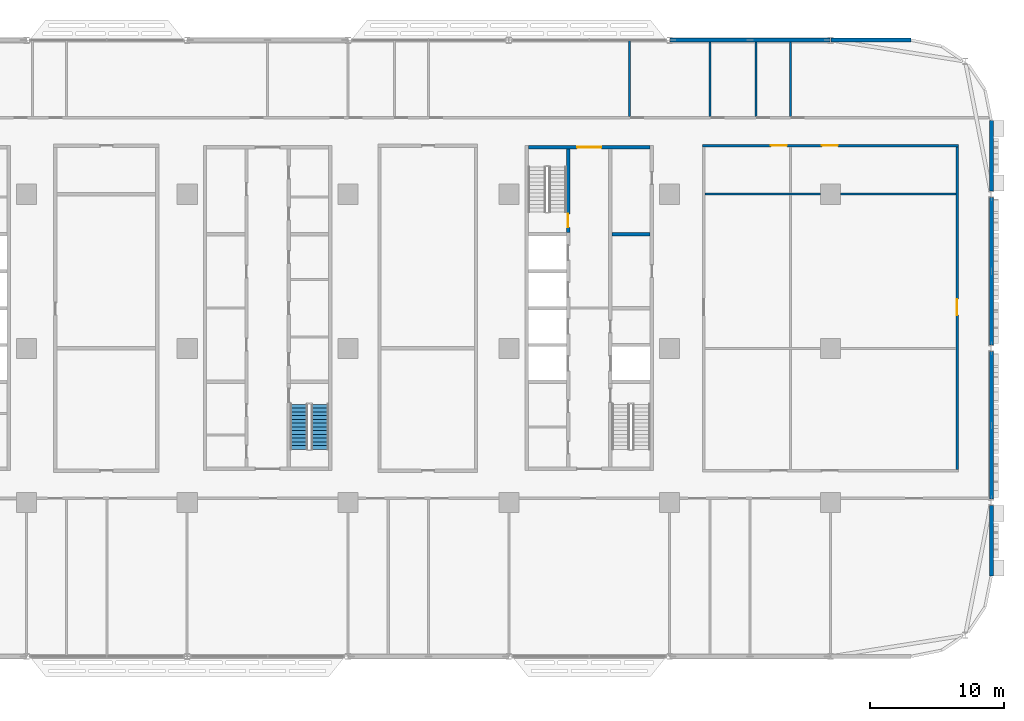
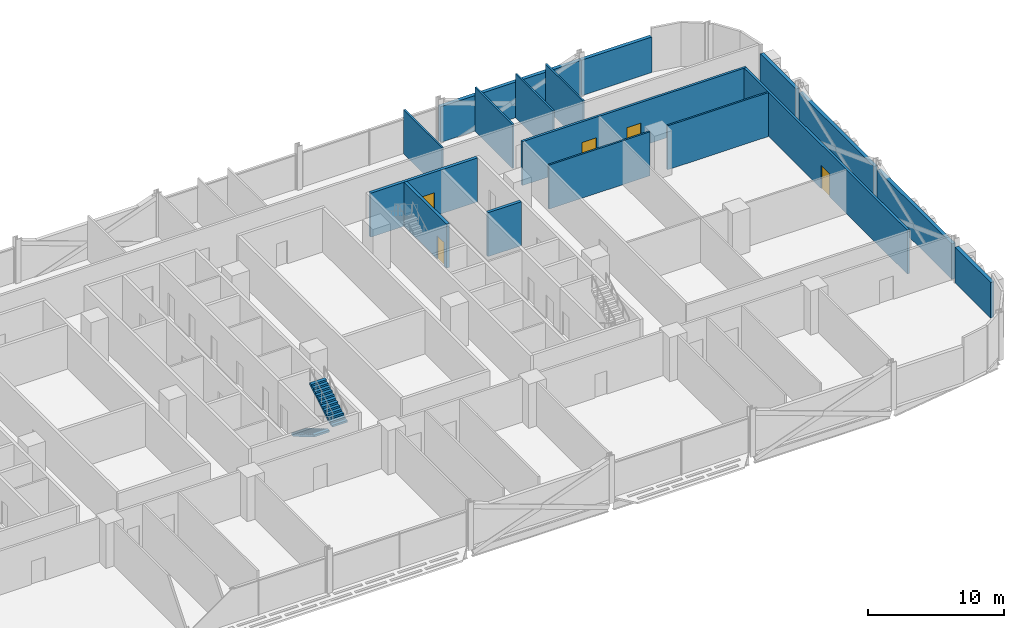
# One storey, part 17 of 29: 17 walls, 5 doors, 2 stair flights, 5 openings, 1 element without a shape of its own.
"""IFC4 building model written with IfcOpenShell, lengths in metres."""

from ifc_helpers import new_model, si_unit, direction, frame, frame_2d, origin, place, context, subcontext, project, spatial, polyline, rectangle, outline, extrude, material, layer, layer_set, type_object, element, fill, aggregate, save


model = new_model("IFC4")

# Units and contexts
model_context = context("Model", 3, precision=1e-05, world=origin(), true_north=direction((0.0, 1.0)))
body_context = subcontext(model_context, "Body", "Model", "MODEL_VIEW")
ifc_project = project(units=[si_unit("LENGTHUNIT", "METRE"), si_unit("AREAUNIT", "SQUARE_METRE"), si_unit("VOLUMEUNIT", "CUBIC_METRE"), si_unit("PLANEANGLEUNIT", "RADIAN"), si_unit("MASSUNIT", "GRAM", prefix="KILO")], contexts=[model_context])

# Site, building, storey
site_placement = place(None, origin())
site = spatial("IfcSite", under=ifc_project, at=site_placement, CompositionType="ELEMENT")
building_placement = place(site_placement, origin())
building = spatial("IfcBuilding", under=site, at=building_placement, Name="Mahtab Terrace Research Tower", CompositionType="ELEMENT")
storey_placement = place(building_placement, frame((0.0, 0.0, 67.5)))
storey = spatial("IfcBuildingStorey", under=building, at=storey_placement, Name="L15", CompositionType="ELEMENT", Elevation=67.5)

# Wall, opening, door
ifc_material_1 = material(Name="Concrete C70/85", Category="concrete")
ifc_layer_1 = layer(ifc_material_1, 0.25)
ifc_layer_set_1 = layer_set([ifc_layer_1], Name="Core wall 250")
wall_type_1 = type_object("IfcWallType", Name="Core wall 250", PredefinedType="SOLIDWALL", material=ifc_layer_set_1)
wall_1_placement = place(storey_placement, frame((19.449951171875, 15.0, 0.0), z_axis=(0.0, 0.0, 1.0), x_axis=(1.0, 0.0, 0.0)))
wall_1 = element("IfcWall", 1, at=wall_1_placement, inside=storey, type_object=wall_type_1, Name="Core wall C endN", PredefinedType="SOLIDWALL", context=body_context, shape_type="SweptSolid", body=[
    extrude(rectangle(XDim=9.10009765625, YDim=0.25, at=frame_2d((4.550048828125, 0.0))), origin(), (0.0, 0.0, 1.0), 3.9599609375),
])
opening_1_placement = place(wall_1_placement, frame((3.64990234375, 0.0, 0.0)))
opening_1 = element("IfcOpeningElement", 2, at=opening_1_placement, cuts=wall_1, Name="Opening C-N1", PredefinedType="OPENING", context=body_context, shape_type="SweptSolid", body=[
    extrude(rectangle(XDim=1.800048828125, YDim=2.10009765625, at=frame_2d((0.89990234375, 1.050048828125))), frame((0.0, 0.135009765625, 0.0), z_axis=(0.0, -1.0, 0.0), x_axis=(1.0, 0.0, 0.0)), (0.0, 0.0, 1.0), 0.27001953125),
])
ifc_material_2 = material(Name="Steel fire door", Category="steel")
door_type_1 = type_object("IfcDoorType", Name="Lobby double door 1800x2100 1 HR", OperationType="DOUBLE_DOOR_SINGLE_SWING", PredefinedType="DOOR", material=ifc_material_2)
door_1_placement = place(opening_1_placement, origin())
door_1 = element("IfcDoor", 3, at=door_1_placement, inside=storey, type_object=door_type_1, Name="Core entrance door C N", OperationType="DOUBLE_DOOR_SINGLE_SWING", OverallHeight=2.10009765625, OverallWidth=1.800048828125, PredefinedType="DOOR", context=body_context, shape_type="SweptSolid", body=[
    extrude(rectangle(XDim=1.800048828125, YDim=2.10009765625, at=frame_2d((0.89990234375, 1.050048828125))), frame((0.0, 0.02490234375, 0.0), z_axis=(0.0, -1.0, 0.0), x_axis=(1.0, 0.0, 0.0)), (0.0, 0.0, 1.0), 0.050048828125),
])
fill(opening_1, door_1)

wall_2_placement = place(storey_placement, frame((22.425048828125, 14.875, 0.0), z_axis=(0.0, 0.0, 1.0), x_axis=(0.0, -1.0, 0.0)))
wall_2 = element("IfcWall", 4, at=wall_2_placement, inside=storey, type_object=wall_type_1, Name="Core wall C innerWN", PredefinedType="SOLIDWALL", context=body_context, shape_type="SweptSolid", body=[
    extrude(rectangle(XDim=6.25, YDim=0.25, at=frame_2d((3.125, 0.0))), origin(), (0.0, 0.0, 1.0), 3.9599609375),
])
opening_2_placement = place(wall_2_placement, frame((4.85009765625, 0.0, 0.0)))
opening_2 = element("IfcOpeningElement", 5, at=opening_2_placement, cuts=wall_2, Name="Opening C-ST3", PredefinedType="OPENING", context=body_context, shape_type="SweptSolid", body=[
    extrude(rectangle(XDim=1.0, YDim=2.10009765625, at=frame_2d((0.5, 1.050048828125))), frame((0.0, 0.135009765625, 0.0), z_axis=(0.0, -1.0, 0.0), x_axis=(1.0, 0.0, 0.0)), (0.0, 0.0, 1.0), 0.27001953125),
])
door_type_2 = type_object("IfcDoorType", Name="Stair door 1000x2100 1.5 HR", OperationType="NOTDEFINED", PredefinedType="DOOR", material=ifc_material_2)
door_2_placement = place(opening_2_placement, origin())
door_2 = element("IfcDoor", 6, at=door_2_placement, inside=storey, type_object=door_type_2, Name="Stair door ST3 L15", OperationType="SINGLE_SWING_RIGHT", OverallHeight=2.10009765625, OverallWidth=1.0, PredefinedType="DOOR", context=body_context, shape_type="SweptSolid", body=[
    extrude(rectangle(XDim=1.0, YDim=2.10009765625, at=frame_2d((0.5, 1.050048828125))), frame((0.0, 0.02490234375, 0.0), z_axis=(0.0, -1.0, 0.0), x_axis=(1.0, 0.0, 0.0)), (0.0, 0.0, 1.0), 0.050048828125),
])
fill(opening_2, door_2)

# Walls
wall_3_placement = place(storey_placement, frame((25.699951171875, 8.5, 0.0), z_axis=(0.0, 0.0, 1.0), x_axis=(1.0, 0.0, 0.0)))
element("IfcWall", 7, at=wall_3_placement, inside=storey, type_object=wall_type_1, Name="Core wall C divE4", PredefinedType="SOLIDWALL", context=body_context, shape_type="SweptSolid", body=[
    extrude(rectangle(XDim=2.85009765625, YDim=0.25, at=frame_2d((1.425048828125, 0.0))), origin(), (0.0, 0.0, 1.0), 3.9599609375),
])
ifc_material_3 = material(Name="Black aluminium cladding panel", Category="aluminium")
ifc_layer_2 = layer(ifc_material_3, 0.300048828125)
ifc_layer_set_2 = layer_set([ifc_layer_2], Name="Opaque facade wall 300")
wall_type_2 = type_object("IfcWallType", Name="Opaque facade wall 300", PredefinedType="NOTDEFINED", material=ifc_layer_set_2)
wall_4_placement = place(storey_placement, frame((48.0, 23.0, 0.0), z_axis=(0.0, 0.0, 1.0), x_axis=(-1.0, 0.0, 0.0)))
element("IfcWall", 8, at=wall_4_placement, inside=storey, type_object=wall_type_2, Name="Opaque facade wall L15 N3", PredefinedType="NOTDEFINED", context=body_context, shape_type="SweptSolid", body=[
    extrude(rectangle(XDim=5.97607421875, YDim=0.300048828125, at=frame_2d((2.988037109375, 0.0))), origin(), (0.0, 0.0, 1.0), 3.203125),
])
wall_5_placement = place(storey_placement, frame((41.97607421875, 23.0, 0.0), z_axis=(0.0, 0.0, 1.0), x_axis=(-1.0, 0.0, 0.0)))
element("IfcWall", 9, at=wall_5_placement, inside=storey, type_object=wall_type_2, Name="Opaque facade wall L15 N4", PredefinedType="NOTDEFINED", context=body_context, shape_type="SweptSolid", body=[
    extrude(rectangle(XDim=11.9521484375, YDim=0.300048828125, at=frame_2d((5.97607421875, 0.0))), origin(), (0.0, 0.0, 1.0), 3.203125),
])
wall_6_placement = place(storey_placement, frame((54.0, -17.0, 0.0), z_axis=(0.0, 0.0, 1.0), x_axis=(0.0, 1.0, 0.0)))
element("IfcWall", 10, at=wall_6_placement, inside=storey, type_object=wall_type_2, Name="Opaque facade wall L15 E35", PredefinedType="NOTDEFINED", context=body_context, shape_type="SweptSolid", body=[
    extrude(rectangle(XDim=5.261962890625, YDim=0.300048828125, at=frame_2d((2.630859375, 0.0))), origin(), (0.0, 0.0, 1.0), 3.203125),
])
for number, where, z_axis, x_axis, name in (
    (11, (54.0, -11.261962890625, 0.0), (0.0, 0.0, 1.0), (0.0, 1.0, 0.0), "Opaque facade wall L15 E36"),
    (12, (54.0, 0.238037109375, 0.0), (0.0, 0.0, 1.0), (0.0, 1.0, 0.0), "Opaque facade wall L15 E37"),
):
    element("IfcWall", number, at=place(storey_placement, frame(where, z_axis=z_axis, x_axis=x_axis)), inside=storey, type_object=wall_type_2, Name=name, PredefinedType="NOTDEFINED", context=body_context, shape_type="SweptSolid", body=[
        extrude(rectangle(XDim=11.02392578125, YDim=0.300048828125, at=frame_2d((5.511962890625, 0.0))), origin(), (0.0, 0.0, 1.0), 3.203125),
    ])
wall_7_placement = place(storey_placement, frame((54.0, 11.738037109375, 0.0), z_axis=(0.0, 0.0, 1.0), x_axis=(0.0, 1.0, 0.0)))
element("IfcWall", 13, at=wall_7_placement, inside=storey, type_object=wall_type_2, Name="Opaque facade wall L15 E38", PredefinedType="NOTDEFINED", context=body_context, shape_type="SweptSolid", body=[
    extrude(rectangle(XDim=5.261962890625, YDim=0.300048828125, at=frame_2d((2.630859375, 0.0))), origin(), (0.0, 0.0, 1.0), 3.203125),
])

# Wall, openings, doors
ifc_material_4 = material(Name="Gypsum board corridor wall on steel studs", Category="steel")
ifc_layer_3 = layer(ifc_material_4, 0.199951171875)
ifc_layer_set_3 = layer_set([ifc_layer_3], Name="WALL CORRIDOR 200")
wall_type_3 = type_object("IfcWallType", Name="WALL CORRIDOR 200", PredefinedType="PARTITIONING", material=ifc_layer_set_3)
wall_8_placement = place(storey_placement, frame((32.449951171875, 15.125, 0.0), z_axis=(0.0, 0.0, 1.0), x_axis=(1.0, 0.0, 0.0)))
wall_8 = element("IfcWall", 14, at=wall_8_placement, inside=storey, type_object=wall_type_3, Name="L15-W024", PredefinedType="PARTITIONING", context=body_context, shape_type="SweptSolid", body=[
    extrude(rectangle(XDim=19.10009765625, YDim=0.199951171875, at=frame_2d((9.550048828125, 0.0))), origin(), (0.0, 0.0, 1.0), 3.9599609375),
])
opening_3_placement = place(wall_8_placement, frame((5.10009765625, 0.0, 0.0)))
opening_3 = element("IfcOpeningElement", 15, at=opening_3_placement, cuts=wall_8, Name="Opening L15-127", PredefinedType="OPENING", context=body_context, shape_type="SweptSolid", body=[
    extrude(rectangle(XDim=1.199951171875, YDim=2.10009765625, at=frame_2d((0.60009765625, 1.050048828125))), frame((0.0, 0.10986328125, 0.0), z_axis=(0.0, -1.0, 0.0), x_axis=(1.0, 0.0, 0.0)), (0.0, 0.0, 1.0), 0.219970703125),
])
opening_4_placement = place(wall_8_placement, frame((8.89990234375, 0.0, 0.0)))
opening_4 = element("IfcOpeningElement", 16, at=opening_4_placement, cuts=wall_8, Name="Opening L15-128", PredefinedType="OPENING", context=body_context, shape_type="SweptSolid", body=[
    extrude(rectangle(XDim=1.199951171875, YDim=2.10009765625, at=frame_2d((0.60009765625, 1.050048828125))), frame((0.0, 0.10986328125, 0.0), z_axis=(0.0, -1.0, 0.0), x_axis=(1.0, 0.0, 0.0)), (0.0, 0.0, 1.0), 0.219970703125),
])
ifc_material_5 = material(Name="Timber door leaf in steel frame", Category="steel")
door_type_3 = type_object("IfcDoorType", Name="DOOR 1200X2100 FD30S", OperationType="SINGLE_SWING_LEFT", PredefinedType="DOOR", material=ifc_material_5)
door_3_placement = place(opening_3_placement, origin())
door_3 = element("IfcDoor", 17, at=door_3_placement, inside=storey, type_object=door_type_3, Name="Door L15-127", OperationType="SINGLE_SWING_RIGHT", OverallHeight=2.10009765625, OverallWidth=1.199951171875, PredefinedType="DOOR", context=body_context, shape_type="SweptSolid", body=[
    extrude(rectangle(XDim=1.199951171875, YDim=2.10009765625, at=frame_2d((0.60009765625, 1.050048828125))), frame((0.0, 0.02490234375, 0.0), z_axis=(0.0, -1.0, 0.0), x_axis=(1.0, 0.0, 0.0)), (0.0, 0.0, 1.0), 0.050048828125),
])
fill(opening_3, door_3)
door_4_placement = place(opening_4_placement, origin())
door_4 = element("IfcDoor", 18, at=door_4_placement, inside=storey, type_object=door_type_3, Name="Door L15-128", OperationType="SINGLE_SWING_RIGHT", OverallHeight=2.10009765625, OverallWidth=1.199951171875, PredefinedType="DOOR", context=body_context, shape_type="SweptSolid", body=[
    extrude(rectangle(XDim=1.199951171875, YDim=2.10009765625, at=frame_2d((0.60009765625, 1.050048828125))), frame((0.0, 0.02490234375, 0.0), z_axis=(0.0, -1.0, 0.0), x_axis=(1.0, 0.0, 0.0)), (0.0, 0.0, 1.0), 0.050048828125),
])
fill(opening_4, door_4)

# Wall, opening, door
wall_9_placement = place(storey_placement, frame((51.449951171875, -9.02490234375, 0.0), z_axis=(0.0, 0.0, 1.0), x_axis=(0.0, 1.0, 0.0)))
wall_9 = element("IfcWall", 19, at=wall_9_placement, inside=storey, type_object=wall_type_3, Name="L15-W059", PredefinedType="PARTITIONING", context=body_context, shape_type="SweptSolid", body=[
    extrude(rectangle(XDim=24.0498046875, YDim=0.199951171875, at=frame_2d((12.02490234375, 0.0))), origin(), (0.0, 0.0, 1.0), 3.9599609375),
])
opening_5_placement = place(wall_9_placement, frame((11.5, 0.0, 0.0)))
opening_5 = element("IfcOpeningElement", 20, at=opening_5_placement, cuts=wall_9, Name="Opening L15-123", PredefinedType="OPENING", context=body_context, shape_type="SweptSolid", body=[
    extrude(rectangle(XDim=1.199951171875, YDim=2.10009765625, at=frame_2d((0.60009765625, 1.050048828125))), frame((0.0, 0.10986328125, 0.0), z_axis=(0.0, -1.0, 0.0), x_axis=(1.0, 0.0, 0.0)), (0.0, 0.0, 1.0), 0.219970703125),
])
door_5_placement = place(opening_5_placement, origin())
door_5 = element("IfcDoor", 21, at=door_5_placement, inside=storey, type_object=door_type_3, Name="Door L15-123", OperationType="SINGLE_SWING_RIGHT", OverallHeight=2.10009765625, OverallWidth=1.199951171875, PredefinedType="DOOR", context=body_context, shape_type="SweptSolid", body=[
    extrude(rectangle(XDim=1.199951171875, YDim=2.10009765625, at=frame_2d((0.60009765625, 1.050048828125))), frame((0.0, 0.02490234375, 0.0), z_axis=(0.0, -1.0, 0.0), x_axis=(1.0, 0.0, 0.0)), (0.0, 0.0, 1.0), 0.050048828125),
])
fill(opening_5, door_5)

# Walls
ifc_material_6 = material(Name="Gypsum board partition on steel studs", Category="steel")
ifc_layer_4 = layer(ifc_material_6, 0.14990234375)
ifc_layer_set_4 = layer_set([ifc_layer_4], Name="WALL PARTITION 150")
wall_type_4 = type_object("IfcWallType", Name="WALL PARTITION 150", PredefinedType="PARTITIONING", material=ifc_layer_set_4)
for number, where, z_axis, x_axis, name in (
    (22, (32.64990234375, 11.5, 0.0), (0.0, 0.0, 1.0), (1.0, 0.0, 0.0), "L15-W019"),
    (23, (42.75, 11.5, 0.0), (0.0, 0.0, 1.0), (1.0, 0.0, 0.0), "L15-W020"),
):
    element("IfcWall", number, at=place(storey_placement, frame(where, z_axis=z_axis, x_axis=x_axis)), inside=storey, type_object=wall_type_4, Name=name, PredefinedType="PARTITIONING", context=body_context, shape_type="SweptSolid", body=[
        extrude(rectangle(XDim=8.60009765625, YDim=0.14990234375, at=frame_2d((4.300048828125, 0.0))), origin(), (0.0, 0.0, 1.0), 3.9599609375),
    ])
wall_10_placement = place(storey_placement, frame((27.0, 17.300048828125, 0.0), z_axis=(0.0, 0.0, 1.0), x_axis=(0.0, 1.0, 0.0)))
element("IfcWall", 24, at=wall_10_placement, inside=storey, type_object=wall_type_4, Name="L15-W049", PredefinedType="PARTITIONING", context=body_context, shape_type="SweptSolid", body=[
    extrude(rectangle(XDim=5.675048828125, YDim=0.14990234375, at=frame_2d((2.83740234375, 0.0))), origin(), (0.0, 0.0, 1.0), 3.9599609375),
])
for number, where, z_axis, x_axis, name in (
    (25, (33.0, 17.300048828125, 0.0), (0.0, 0.0, 1.0), (0.0, 1.0, 0.0), "L15-W053"),
    (26, (36.449951171875, 17.300048828125, 0.0), (0.0, 0.0, 1.0), (0.0, 1.0, 0.0), "L15-W055"),
    (27, (39.0, 17.300048828125, 0.0), (0.0, 0.0, 1.0), (0.0, 1.0, 0.0), "L15-W057"),
):
    element("IfcWall", number, at=place(storey_placement, frame(where, z_axis=z_axis, x_axis=x_axis)), inside=storey, type_object=wall_type_4, Name=name, PredefinedType="PARTITIONING", context=body_context, shape_type="SweptSolid", body=[
        extrude(rectangle(XDim=5.550048828125, YDim=0.14990234375, at=frame_2d((2.77490234375, 0.0))), origin(), (0.0, 0.0, 1.0), 3.9599609375),
    ])

# Stair, stair flights
ifc_material_7 = material(Name="Exit stair half-turn")
stair_type = type_object("IfcStairType", Name="Exit stair half-turn", PredefinedType="HALF_TURN_STAIR", material=ifc_material_7)
stair_placement = place(storey_placement, origin())
stair = element("IfcStair", 28, at=stair_placement, inside=storey, type_object=stair_type, Name="L15 Protected exit stair ST2", PredefinedType="HALF_TURN_STAIR")
ifc_material_8 = material(Name="Concrete C40/50", Category="concrete")
stair_flight_type = type_object("IfcStairFlightType", Name="Exit stair flight 1300", PredefinedType="STRAIGHT", material=ifc_material_8)
stair_flight_1_placement = place(storey_placement, frame((2.35009765625, -4.175048828125, 0.0), z_axis=(0.0, 0.0, 1.0), x_axis=(0.0, -1.0, 0.0)))
stair_flight_1 = element("IfcStairFlight", 29, at=stair_flight_1_placement, type_object=stair_flight_type, Name="ST2 flight 1", NumberOfRisers=13, NumberOfTreads=12, PredefinedType="STRAIGHT", RiserHeight=0.165384615, TreadLength=0.28, context=body_context, shape_type="SweptSolid", body=[
    extrude(outline(polyline([(0.0, 0.0), (0.0, 0.165283203125), (0.280029296875, 0.165283203125), (0.280029296875, 0.330810546875), (0.56005859375, 0.330810546875), (0.56005859375, 0.49609375), (0.840087890625, 0.49609375), (0.840087890625, 0.66162109375), (1.1201171875, 0.66162109375), (1.1201171875, 0.826904296875), (1.39990234375, 0.826904296875), (1.39990234375, 0.9921875), (1.679931640625, 0.9921875), (1.679931640625, 1.15771484375), (1.9599609375, 1.15771484375), (1.9599609375, 1.322998046875), (2.239990234375, 1.322998046875), (2.239990234375, 1.488525390625), (2.52001953125, 1.488525390625), (2.52001953125, 1.65380859375), (2.800048828125, 1.65380859375), (2.800048828125, 1.8193359375), (3.080078125, 1.8193359375), (3.080078125, 1.984619140625), (3.360107421875, 1.984619140625), (3.360107421875, 2.14990234375), (3.360107421875, 1.810546875), (0.294677734375, 0.0), (0.0, 0.0)])), frame((0.0, 0.64990234375, 0.0), z_axis=(0.0, -1.0, 0.0), x_axis=(1.0, 0.0, 0.0)), (0.0, 0.0, 1.0), 1.300048828125),
])
stair_flight_2_placement = place(storey_placement, frame((3.89990234375, -7.534912109375, 2.14990234375), z_axis=(0.0, 0.0, 1.0), x_axis=(0.0, 1.0, 0.0)))
stair_flight_2 = element("IfcStairFlight", 30, at=stair_flight_2_placement, type_object=stair_flight_type, Name="ST2 flight 2", NumberOfRisers=13, NumberOfTreads=12, PredefinedType="STRAIGHT", RiserHeight=0.165384615, TreadLength=0.28, context=body_context, shape_type="SweptSolid", body=[
    extrude(outline(polyline([(0.0, 0.0), (0.0, 0.165283203125), (0.280029296875, 0.165283203125), (0.280029296875, 0.330810546875), (0.56005859375, 0.330810546875), (0.56005859375, 0.49609375), (0.840087890625, 0.49609375), (0.840087890625, 0.66162109375), (1.1201171875, 0.66162109375), (1.1201171875, 0.826904296875), (1.39990234375, 0.826904296875), (1.39990234375, 0.9921875), (1.679931640625, 0.9921875), (1.679931640625, 1.15771484375), (1.9599609375, 1.15771484375), (1.9599609375, 1.322998046875), (2.239990234375, 1.322998046875), (2.239990234375, 1.488525390625), (2.52001953125, 1.488525390625), (2.52001953125, 1.65380859375), (2.800048828125, 1.65380859375), (2.800048828125, 1.8193359375), (3.080078125, 1.8193359375), (3.080078125, 1.984619140625), (3.360107421875, 1.984619140625), (3.360107421875, 2.14990234375), (3.360107421875, 1.810546875), (0.294677734375, 0.0), (0.0, 0.0)])), frame((0.0, 0.64990234375, 0.0), z_axis=(0.0, -1.0, 0.0), x_axis=(1.0, 0.0, 0.0)), (0.0, 0.0, 1.0), 1.300048828125),
])
aggregate(stair, [stair_flight_1, stair_flight_2])

save(model, "model.ifc")
